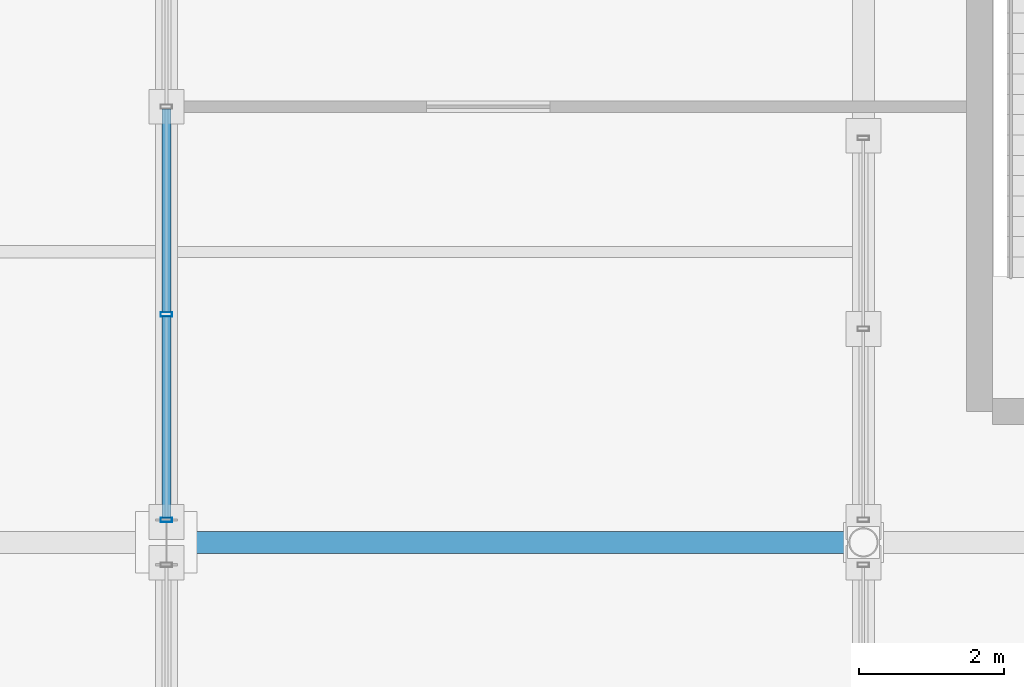
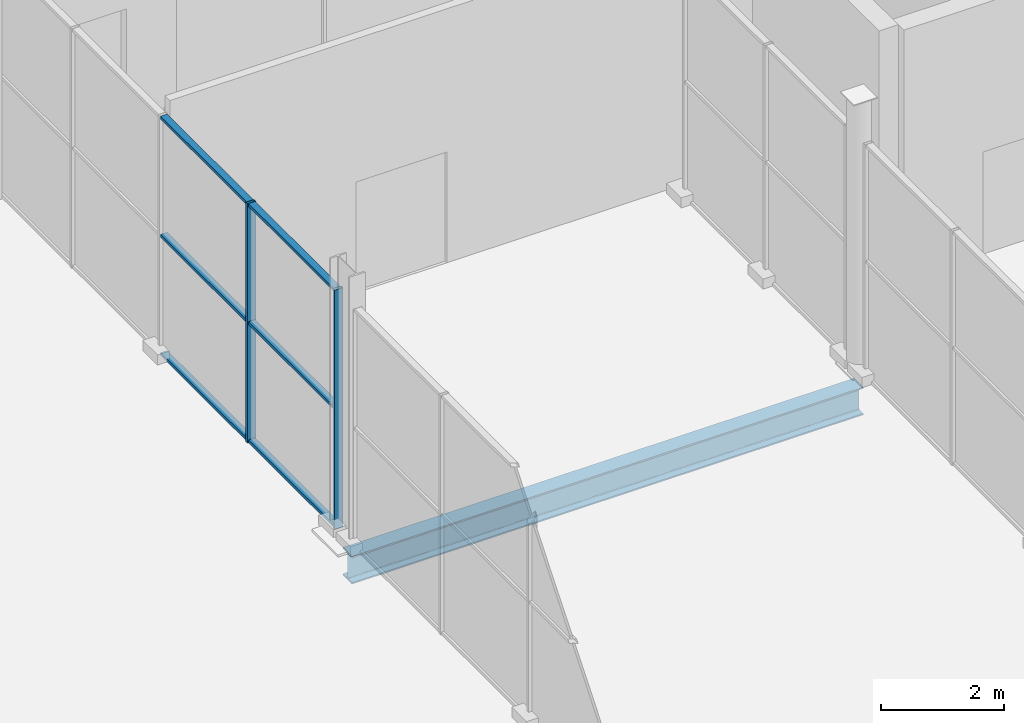
# One storey, part 99 of 196: 8 members, 1 beam, 1 element without a shape of its own.
"""IFC4 building model written with IfcOpenShell, lengths in metres."""

import ifcopenshell
import ifcopenshell.guid

model = None  # the IFC model being written
_history = None  # IfcOwnerHistory: only IFC2X3 demands one
_inside = {}  # id of a spatial element -> (the spatial element, [elements in it])
_under = {}  # id of a project, library or spatial element -> (it, [spatial elements below it])
_declared = {}  # id of a project -> (the project, [libraries it declares])
_typed = {}  # id of a type object -> (the type object, [elements of that type])
_made_of = {}  # id of a material, layer set ... -> (it, [elements and type objects made of it])


def new_model(schema):
    """Start an empty IFC model of exactly this schema.

    Asked for "IFC4X3", IfcOpenShell would pick the latest addendum, in which some entities
    have other attributes; the version numbers below select the first issue.
    IFC2X3 requires an IfcOwnerHistory on every rooted entity: one is made here for all.
    """
    global model, _history
    if schema == "IFC4X3":
        model = ifcopenshell.file(schema_version=(4, 3, 0, 0))
    else:
        model = ifcopenshell.file(schema=schema)
    _inside.clear()
    _under.clear()
    _declared.clear()
    _typed.clear()
    _made_of.clear()
    _history = None
    if model.schema == "IFC2X3":
        org = make("IfcOrganization", Name="unknown")
        user = make(
            "IfcPersonAndOrganization",
            ThePerson=make("IfcPerson", FamilyName="unknown"),
            TheOrganization=org,
        )
        app = make(
            "IfcApplication",
            ApplicationDeveloper=org,
            Version="unknown",
            ApplicationFullName="unknown",
            ApplicationIdentifier="unknown",
        )
        _history = make(
            "IfcOwnerHistory",
            OwningUser=user,
            OwningApplication=app,
            ChangeAction="ADDED",
            CreationDate=0,
        )
    return model


def make(cls, **values):
    """One entity of the class cls with the attributes given. An attribute that is None is left unset."""
    return model.create_entity(
        cls, **{name: value for name, value in values.items() if value is not None}
    )


def rooted(cls, **values):
    """An entity with a GlobalId (a new one), such as an element, a storey or a relation."""
    return make(cls, GlobalId=ifcopenshell.guid.new(), OwnerHistory=_history, **values)


def si_unit(unit_type, name, prefix=None):
    """IfcSIUnit, for example si_unit("LENGTHUNIT", "METRE", prefix="MILLI")."""
    return make("IfcSIUnit", UnitType=unit_type, Prefix=prefix, Name=name)


def assignment(units):
    """IfcUnitAssignment: the units of a project."""
    return None if units is None else make("IfcUnitAssignment", Units=units)


def point(xyz):
    """IfcCartesianPoint."""
    return None if xyz is None else make("IfcCartesianPoint", Coordinates=xyz)


def direction(xyz):
    """IfcDirection."""
    return None if xyz is None else make("IfcDirection", DirectionRatios=xyz)


def frame(location, z_axis=None, x_axis=None):
    """IfcAxis2Placement3D, a coordinate frame: its origin and axes. An axis left out is left unset."""
    return make(
        "IfcAxis2Placement3D",
        Location=point(location),
        Axis=direction(z_axis),
        RefDirection=direction(x_axis),
    )


def frame_2d(location, x_axis=None):
    """IfcAxis2Placement2D, a coordinate frame in the plane: its origin and x axis."""
    return make(
        "IfcAxis2Placement2D", Location=point(location), RefDirection=direction(x_axis)
    )


def origin():
    """The frame at (0, 0, 0) with its axes left unset."""
    return frame((0.0, 0.0, 0.0))


def origin_2d():
    """The frame at (0, 0) in the plane with its x axis left unset."""
    return frame_2d((0.0, 0.0))


def place(relative_to, where):
    """IfcLocalPlacement: puts the frame where relative to a parent placement (None: the world)."""
    return make(
        "IfcLocalPlacement", PlacementRelTo=relative_to, RelativePlacement=where
    )


def context(
    kind, dimensions, precision=None, world=None, true_north=None, identifier=None
):
    """IfcGeometricRepresentationContext, for example the 3D "Model" context."""
    return make(
        "IfcGeometricRepresentationContext",
        ContextIdentifier=identifier,
        ContextType=kind,
        CoordinateSpaceDimension=dimensions,
        Precision=precision,
        WorldCoordinateSystem=world,
        TrueNorth=true_north,
    )


def subcontext(parent, identifier, kind, view, scale=None):
    """IfcGeometricRepresentationSubContext, for example "Body" below "Model"."""
    return make(
        "IfcGeometricRepresentationSubContext",
        ContextIdentifier=identifier,
        ContextType=kind,
        ParentContext=parent,
        TargetScale=scale,
        TargetView=view,
    )


def project(units=None, contexts=None):
    """IfcProject with its units and contexts."""
    return rooted(
        "IfcProject",
        Name="project",
        RepresentationContexts=contexts,
        UnitsInContext=assignment(units),
    )


def spatial(cls, under=None, at=None, **own):
    """A site, building, storey or space (cls), placed at a placement, below another one or the project."""
    s = rooted(cls, ObjectPlacement=at, **own)
    if under is not None:
        _under.setdefault(under.id(), (under, []))[1].append(s)
    return s


def profile(cls, at=None, kind="AREA", **sizes):
    """A parametric profile (cls). Its sizes go by their IFC names, for example OverallWidth=200.0."""
    return make(cls, ProfileType=kind, Position=at, **sizes)


def hollow_rectangle(**sizes):
    """IfcRectangleHollowProfileDef."""
    return profile("IfcRectangleHollowProfileDef", **sizes)


def i_section(**sizes):
    """IfcIShapeProfileDef."""
    return profile("IfcIShapeProfileDef", **sizes)


def extrude(swept, where, along, depth):
    """IfcExtrudedAreaSolid: the profile swept, set in the frame where, extruded along a direction by depth."""
    return make(
        "IfcExtrudedAreaSolid",
        SweptArea=swept,
        Position=where,
        ExtrudedDirection=direction(along),
        Depth=depth,
    )


def shape(context_of_items, identifier, shape_type, items):
    """IfcShapeRepresentation: the items that make up one representation, for example the "Body"."""
    return make(
        "IfcShapeRepresentation",
        ContextOfItems=context_of_items,
        RepresentationIdentifier=identifier,
        RepresentationType=shape_type,
        Items=items,
    )


def material(Name=None, Category=None):
    """IfcMaterial."""
    return make("IfcMaterial", Name=Name, Category=Category)


def material_profile(
    of_material, cross_section, Name=None, Category=None, Priority=None
):
    """IfcMaterialProfile: a cross section and its material."""
    return make(
        "IfcMaterialProfile",
        Name=Name,
        Material=of_material,
        Profile=cross_section,
        Priority=Priority,
        Category=Category,
    )


def profile_set(profiles, Name=None, composite=None):
    """IfcMaterialProfileSet."""
    return make(
        "IfcMaterialProfileSet",
        Name=Name,
        MaterialProfiles=profiles,
        CompositeProfile=composite,
    )


def made_of(thing, what):
    """Note that an element or type object is made of a material, layer set ...; save() writes the relation."""
    if what is not None:
        _made_of.setdefault(what.id(), (what, []))[1].append(thing)
    return thing


def type_object(cls, material=None, **own):
    """A type object (cls), such as IfcWallType, which elements share."""
    return made_of(rooted(cls, **own), material)


def element(
    cls,
    number,
    at=None,
    inside=None,
    cuts=None,
    type_object=None,
    material=None,
    context=None,
    identifier="Body",
    shape_type=None,
    held_by="IfcProductDefinitionShape",
    body=None,
    shapes=None,
    **own,
):
    """One element of the class cls, such as IfcWall. Its Tag is "e" and its number.

    at: its placement. inside: the storey or other place that contains it. cuts: it is an
    opening in that element (IfcRelVoidsElement). A single representation is given by context,
    identifier, shape_type and body (its items); several are given by shapes. held_by: the class
    of the entity that holds the representations. save() writes the other relations.
    """
    e = rooted(cls, Tag="e%d" % number, ObjectPlacement=at, **own)
    if body is not None:
        shapes = [shape(context, identifier, shape_type, body)]
    if shapes is not None:
        e.Representation = make(held_by, Representations=shapes)
    if inside is not None:
        _inside.setdefault(inside.id(), (inside, []))[1].append(e)
    if cuts is not None:
        rooted(
            "IfcRelVoidsElement", RelatingBuildingElement=cuts, RelatedOpeningElement=e
        )
    if type_object is not None:
        _typed.setdefault(type_object.id(), (type_object, []))[1].append(e)
    return made_of(e, material)


def aggregate(whole, parts):
    """IfcRelAggregates: a whole, such as a stair, and the parts it consists of."""
    return rooted("IfcRelAggregates", RelatingObject=whole, RelatedObjects=parts)


def save(model, path):
    """Write the relations noted so far, then the file.

    IfcRelAggregates (storeys below a building ...), IfcRelContainedInSpatialStructure (elements
    in a storey), IfcRelDefinesByType, IfcRelAssociatesMaterial and IfcRelDeclares: one each for
    every whole, place, type object, material and project.
    """
    for whole, parts in _under.values():
        aggregate(whole, parts)
    for where, things in _inside.values():
        rooted(
            "IfcRelContainedInSpatialStructure",
            RelatedElements=things,
            RelatingStructure=where,
        )
    for kind, things in _typed.values():
        rooted("IfcRelDefinesByType", RelatedObjects=things, RelatingType=kind)
    for what, things in _made_of.values():
        rooted("IfcRelAssociatesMaterial", RelatedObjects=things, RelatingMaterial=what)
    for by, libraries in _declared.values():
        rooted("IfcRelDeclares", RelatingContext=by, RelatedDefinitions=libraries)
    model.write(path)


model = new_model("IFC4")

# Units and contexts
model_context = context("Model", 3, precision=1e-05, world=origin(), true_north=direction((0.0, 1.0)))
body_context = subcontext(model_context, "Body", "Model", "MODEL_VIEW")
ifc_project = project(units=[si_unit("LENGTHUNIT", "METRE"), si_unit("AREAUNIT", "SQUARE_METRE"), si_unit("VOLUMEUNIT", "CUBIC_METRE"), si_unit("PLANEANGLEUNIT", "RADIAN"), si_unit("MASSUNIT", "GRAM", prefix="KILO")], contexts=[model_context])

# Site, building, storey
site_placement = place(None, origin())
site = spatial("IfcSite", under=ifc_project, at=site_placement, CompositionType="ELEMENT")
building_placement = place(site_placement, origin())
building = spatial("IfcBuilding", under=site, at=building_placement, Name="Merenkruunu Market Hall", CompositionType="ELEMENT")
storey_placement = place(building_placement, origin())
storey = spatial("IfcBuildingStorey", under=building, at=storey_placement, Name="L00", CompositionType="ELEMENT", Elevation=0.0)

# Curtain wall, members
ifc_material_1 = material(Name="Powder-coated aluminium", Category="aluminium")
curtain_wall_type = type_object("IfcCurtainWallType", Name="Glazed Curtain Wall CW02", PredefinedType="USERDEFINED", material=ifc_material_1)
curtain_wall_placement = place(storey_placement, origin())
curtain_wall = element("IfcCurtainWall", 1, at=curtain_wall_placement, inside=storey, type_object=curtain_wall_type, Name="CW-L00-CWM01-135", ObjectType="GLAZED_FACADE", PredefinedType="USERDEFINED")
ifc_material_profile_1 = material_profile(ifc_material_1, hollow_rectangle(XDim=0.06005859375, YDim=0.159912109375, WallThickness=0.00390625, at=origin_2d()), Name="ALU 60x160x4")
ifc_profile_set_1 = profile_set([ifc_material_profile_1], Name="Powder-coated aluminium")
member_type_1 = type_object("IfcMemberType", Name="Curtain Wall Mullion CWM01", PredefinedType="MULLION", material=ifc_profile_set_1)
member_1_placement = place(storey_placement, frame((57.60009765625, 87.909912109375, 0.0), z_axis=(0.0, 0.0, 1.0), x_axis=(0.0, 1.0, 0.0)))
member_1 = element("IfcMember", 2, at=member_1_placement, type_object=member_type_1, Name="CW02 mullion 1", PredefinedType="MULLION", context=body_context, shape_type="SweptSolid", body=[
    extrude(hollow_rectangle(XDim=0.06005859375, YDim=0.159912109375, WallThickness=0.00390625, at=origin_2d()), origin(), (0.0, 0.0, 1.0), 4.75),
])
member_2_placement = place(storey_placement, frame((57.60009765625, 90.739990234375, 0.0), z_axis=(0.0, 0.0, 1.0), x_axis=(0.0, 1.0, 0.0)))
member_2 = element("IfcMember", 3, at=member_2_placement, type_object=member_type_1, Name="CW02 mullion 2", PredefinedType="MULLION", context=body_context, shape_type="SweptSolid", body=[
    extrude(hollow_rectangle(XDim=0.06005859375, YDim=0.159912109375, WallThickness=0.00390625, at=origin_2d()), origin(), (0.0, 0.0, 1.0), 4.75),
])
ifc_material_profile_2 = material_profile(ifc_material_1, hollow_rectangle(XDim=0.06005859375, YDim=0.125, WallThickness=0.00390625, at=origin_2d()), Name="ALU 60x125x4")
ifc_profile_set_2 = profile_set([ifc_material_profile_2], Name="Powder-coated aluminium")
member_type_2 = type_object("IfcMemberType", Name="Curtain Wall Transom CWT01", PredefinedType="USERDEFINED", material=ifc_profile_set_2)
member_3_placement = place(storey_placement, frame((57.60009765625, 87.93994140625, 0.030029296875), z_axis=(0.0, 1.0, 0.0), x_axis=(0.0, 0.0, 1.0)))
member_3 = element("IfcMember", 4, at=member_3_placement, type_object=member_type_2, Name="CW02 transom 1.1", ObjectType="TRANSOM", PredefinedType="USERDEFINED", context=body_context, shape_type="SweptSolid", body=[
    extrude(hollow_rectangle(XDim=0.06005859375, YDim=0.125, WallThickness=0.00390625, at=origin_2d()), origin(), (0.0, 0.0, 1.0), 2.77001953125),
])
member_4_placement = place(storey_placement, frame((57.60009765625, 87.93994140625, 2.375), z_axis=(0.0, 1.0, 0.0), x_axis=(0.0, 0.0, 1.0)))
member_4 = element("IfcMember", 5, at=member_4_placement, type_object=member_type_2, Name="CW02 transom 1.2", ObjectType="TRANSOM", PredefinedType="USERDEFINED", context=body_context, shape_type="SweptSolid", body=[
    extrude(hollow_rectangle(XDim=0.06005859375, YDim=0.125, WallThickness=0.00390625, at=origin_2d()), origin(), (0.0, 0.0, 1.0), 2.77001953125),
])
member_5_placement = place(storey_placement, frame((57.60009765625, 87.93994140625, 4.719970703125), z_axis=(0.0, 1.0, 0.0), x_axis=(0.0, 0.0, 1.0)))
member_5 = element("IfcMember", 6, at=member_5_placement, type_object=member_type_2, Name="CW02 transom 1.3", ObjectType="TRANSOM", PredefinedType="USERDEFINED", context=body_context, shape_type="SweptSolid", body=[
    extrude(hollow_rectangle(XDim=0.06005859375, YDim=0.125, WallThickness=0.00390625, at=origin_2d()), origin(), (0.0, 0.0, 1.0), 2.77001953125),
])
member_6_placement = place(storey_placement, frame((57.60009765625, 90.77001953125, 0.030029296875), z_axis=(0.0, 1.0, 0.0), x_axis=(0.0, 0.0, 1.0)))
member_6 = element("IfcMember", 7, at=member_6_placement, type_object=member_type_2, Name="CW02 transom 2.1", ObjectType="TRANSOM", PredefinedType="USERDEFINED", context=body_context, shape_type="SweptSolid", body=[
    extrude(hollow_rectangle(XDim=0.06005859375, YDim=0.125, WallThickness=0.00390625, at=origin_2d()), origin(), (0.0, 0.0, 1.0), 2.800048828125),
])
member_7_placement = place(storey_placement, frame((57.60009765625, 90.77001953125, 2.375), z_axis=(0.0, 1.0, 0.0), x_axis=(0.0, 0.0, 1.0)))
member_7 = element("IfcMember", 8, at=member_7_placement, type_object=member_type_2, Name="CW02 transom 2.2", ObjectType="TRANSOM", PredefinedType="USERDEFINED", context=body_context, shape_type="SweptSolid", body=[
    extrude(hollow_rectangle(XDim=0.06005859375, YDim=0.125, WallThickness=0.00390625, at=origin_2d()), origin(), (0.0, 0.0, 1.0), 2.800048828125),
])
member_8_placement = place(storey_placement, frame((57.60009765625, 90.77001953125, 4.719970703125), z_axis=(0.0, 1.0, 0.0), x_axis=(0.0, 0.0, 1.0)))
member_8 = element("IfcMember", 9, at=member_8_placement, type_object=member_type_2, Name="CW02 transom 2.3", ObjectType="TRANSOM", PredefinedType="USERDEFINED", context=body_context, shape_type="SweptSolid", body=[
    extrude(hollow_rectangle(XDim=0.06005859375, YDim=0.125, WallThickness=0.00390625, at=origin_2d()), origin(), (0.0, 0.0, 1.0), 2.800048828125),
])
aggregate(curtain_wall, [member_1, member_2, member_3, member_4, member_5, member_6, member_7, member_8])

# Beam
ifc_material_2 = material(Name="Steel S355J2", Category="steel")
ifc_material_profile_3 = material_profile(ifc_material_2, i_section(OverallWidth=0.300048828125, OverallDepth=0.550048828125, WebThickness=0.014892578125, FlangeThickness=0.029052734375, FilletRadius=0.027099609375, at=origin_2d()), Name="HEB 550")
ifc_profile_set_3 = profile_set([ifc_material_profile_3], Name="Steel S355J2")
beam_type = type_object("IfcBeamType", Name="Primary Floor Girder B02", PredefinedType="BEAM", material=ifc_profile_set_3)
beam_placement = place(storey_placement, frame((57.60009765625, 87.60009765625, -0.574951171875), z_axis=(1.0, 0.0, 0.0), x_axis=(0.0, 1.0, 0.0)))
element("IfcBeam", 10, at=beam_placement, inside=storey, type_object=beam_type, Name="BM-L00-B02-0112", PredefinedType="BEAM", context=body_context, shape_type="SweptSolid", body=[
    extrude(i_section(OverallWidth=0.300048828125, OverallDepth=0.550048828125, WebThickness=0.014892578125, FlangeThickness=0.029052734375, FilletRadius=0.027099609375, at=origin_2d()), origin(), (0.0, 0.0, 1.0), 9.599853515625),
])

save(model, "model.ifc")
